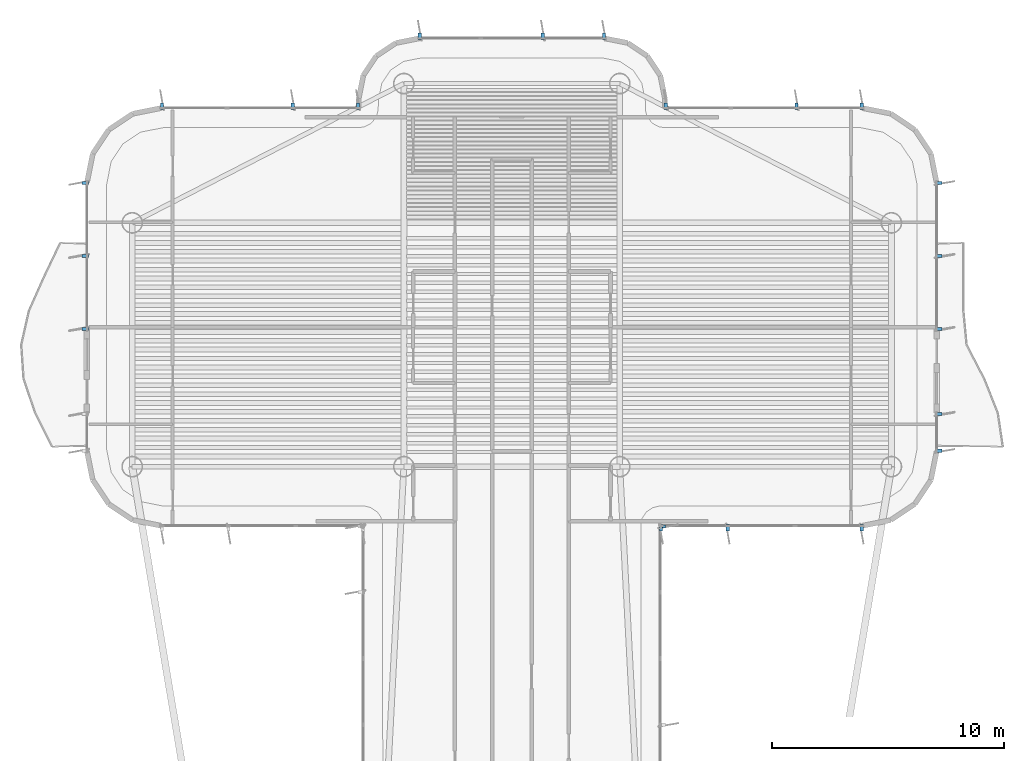
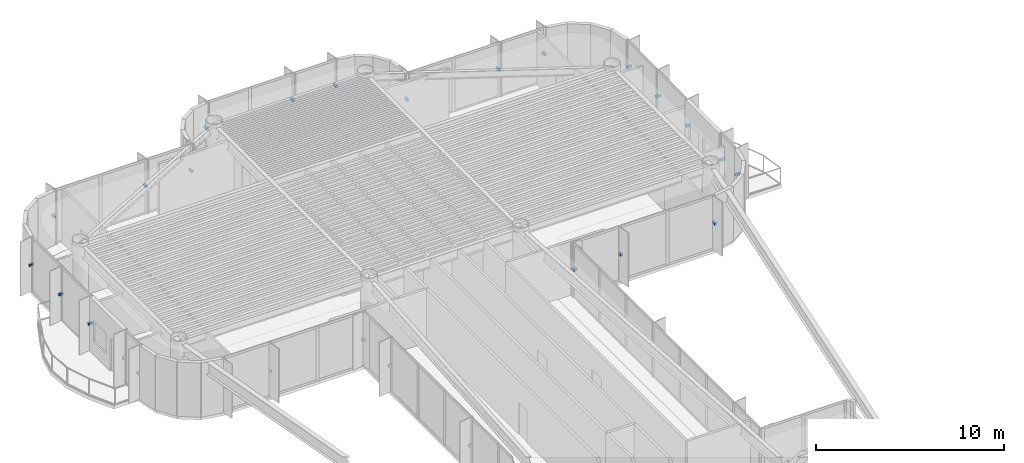
# One storey, part 14 of 16: 21 discrete accessories.
"""IFC4 building model written with IfcOpenShell, lengths in metres."""

from ifc_helpers import new_model, si_unit, direction, frame, origin, origin_2d, place, context, subcontext, project, spatial, rectangle, extrude, source, transform, mapped, material, type_object, element, save


model = new_model("IFC4")

# Units and contexts
model_context = context("Model", 3, precision=1e-05, world=origin(), true_north=direction((0.0, 1.0)))
body_context = subcontext(model_context, "Body", "Model", "MODEL_VIEW")
ifc_project = project(units=[si_unit("LENGTHUNIT", "METRE"), si_unit("AREAUNIT", "SQUARE_METRE"), si_unit("VOLUMEUNIT", "CUBIC_METRE"), si_unit("PLANEANGLEUNIT", "RADIAN"), si_unit("MASSUNIT", "GRAM", prefix="KILO")], contexts=[model_context])

# Site, building, storey
site_placement = place(None, origin())
site = spatial("IfcSite", under=ifc_project, at=site_placement, CompositionType="ELEMENT")
building_placement = place(site_placement, origin())
building = spatial("IfcBuilding", under=site, at=building_placement, Name="Brelvock Crest Care Tower", CompositionType="ELEMENT")
storey_placement = place(building_placement, frame((0.0, 0.0, 230.580078125)))
storey = spatial("IfcBuildingStorey", under=building, at=storey_placement, Name="L58", CompositionType="ELEMENT", Elevation=230.580078125)

# Discrete accessories
ifc_material = material(Name="Steel Grade 350", Category="steel")
discrete_accessory_type = type_object("IfcDiscreteAccessoryType", Name="ACC-BRK1", PredefinedType="BRACKET", material=ifc_material)
shared_shape = source(origin(), body_context, "Body", "SweptSolid", [
    extrude(rectangle(XDim=0.280029296875, YDim=0.139892578125, at=origin_2d()), origin(), (0.0, 0.0, 1.0), 0.139892578125),
])
for number, where, z_axis, x_axis, name in (
    (1, (17.6201171875, 49.8798828125, 1.69482421875), (0.0, 0.0, 1.0), (-1.0, 0.0, 0.0), "L58 Facade Fin Bracket E17B-01"),
    (2, (17.6201171875, 53.02490234375, 1.69482421875), (0.0, 0.0, 1.0), (-1.0, 0.0, 0.0), "L58 Facade Fin Bracket E17B-02"),
    (3, (17.6201171875, 56.169921875, 1.69482421875), (0.0, 0.0, 1.0), (-1.0, 0.0, 0.0), "L58 Facade Fin Bracket E17B-03"),
    (4, (20.929931640625, 59.47998046875, 1.69482421875), (0.0, 0.0, 1.0), (0.0, 1.0, 0.0), "L58 Facade Fin Bracket E22-01"),
    (5, (26.566650390625, 59.47998046875, 1.69482421875), (0.0, 0.0, 1.0), (0.0, 1.0, 0.0), "L58 Facade Fin Bracket E22-03"),
    (6, (29.3701171875, 59.47998046875, 1.69482421875), (0.0, 0.0, 1.0), (0.0, 1.0, 0.0), "L58 Facade Fin Bracket E22-04"),
    (7, (32.030029296875, 62.47998046875, 1.69482421875), (0.0, 0.0, 1.0), (0.0, 1.0, 0.0), "L58 Facade Fin Bracket E28-01"),
    (8, (37.333251953125, 62.47998046875, 1.69482421875), (0.0, 0.0, 1.0), (0.0, 1.0, 0.0), "L58 Facade Fin Bracket E28-03"),
    (9, (39.969970703125, 62.47998046875, 1.69482421875), (0.0, 0.0, 1.0), (0.0, 1.0, 0.0), "L58 Facade Fin Bracket E28-04"),
    (10, (42.6298828125, 59.47998046875, 1.69482421875), (0.0, 0.0, 1.0), (0.0, 1.0, 0.0), "L58 Facade Fin Bracket E34-01"),
    (11, (48.2666015625, 59.47998046875, 1.69482421875), (0.0, 0.0, 1.0), (0.0, 1.0, 0.0), "L58 Facade Fin Bracket E34-03"),
    (12, (51.070068359375, 59.47998046875, 1.69482421875), (0.0, 0.0, 1.0), (0.0, 1.0, 0.0), "L58 Facade Fin Bracket E34-04"),
    (13, (54.3798828125, 56.169921875, 1.69482421875), (0.0, 0.0, 1.0), (1.0, 0.0, 0.0), "L58 Facade Fin Bracket E39A-01"),
    (14, (54.3798828125, 53.02490234375, 1.69482421875), (0.0, 0.0, 1.0), (1.0, 0.0, 0.0), "L58 Facade Fin Bracket E39A-02"),
    (15, (54.3798828125, 49.8798828125, 1.69482421875), (0.0, 0.0, 1.0), (1.0, 0.0, 0.0), "L58 Facade Fin Bracket E39A-03"),
    (16, (54.3798828125, 46.219970703125, 1.69482421875), (0.0, 0.0, 1.0), (1.0, 0.0, 0.0), "L58 Facade Fin Bracket E39B-01"),
    (17, (54.3798828125, 44.6298828125, 1.69482421875), (0.0, 0.0, 1.0), (1.0, 0.0, 0.0), "L58 Facade Fin Bracket E39B-02"),
    (18, (51.070068359375, 41.320068359375, 1.69482421875), (0.0, 0.0, 1.0), (0.0, -1.0, 0.0), "L58 Facade Fin Bracket E44-01"),
    (19, (45.300048828125, 41.320068359375, 1.69482421875), (0.0, 0.0, 1.0), (0.0, -1.0, 0.0), "L58 Facade Fin Bracket E44-03"),
    (20, (42.429931640625, 41.320068359375, 1.69482421875), (0.0, 0.0, 1.0), (0.0, -1.0, 0.0), "L58 Facade Fin Bracket E44-04"),
    (21, (42.47998046875, 41.3701171875, 1.69482421875), (0.0, 0.0, 1.0), (1.0, 0.0, 0.0), "L58 Facade Fin Bracket E45-01"),
):
    element("IfcDiscreteAccessory", number, at=place(storey_placement, frame(where, z_axis=z_axis, x_axis=x_axis)), inside=storey, type_object=discrete_accessory_type, Name=name, PredefinedType="BRACKET", context=body_context, shape_type="MappedRepresentation", body=[
        mapped(shared_shape, transform((0.0, 0.0, 0.0), x_axis=(1.0, 0.0, 0.0), y_axis=(0.0, 1.0, 0.0), z_axis=(0.0, 0.0, 1.0), scale=1.0)),
    ])

save(model, "model.ifc")
